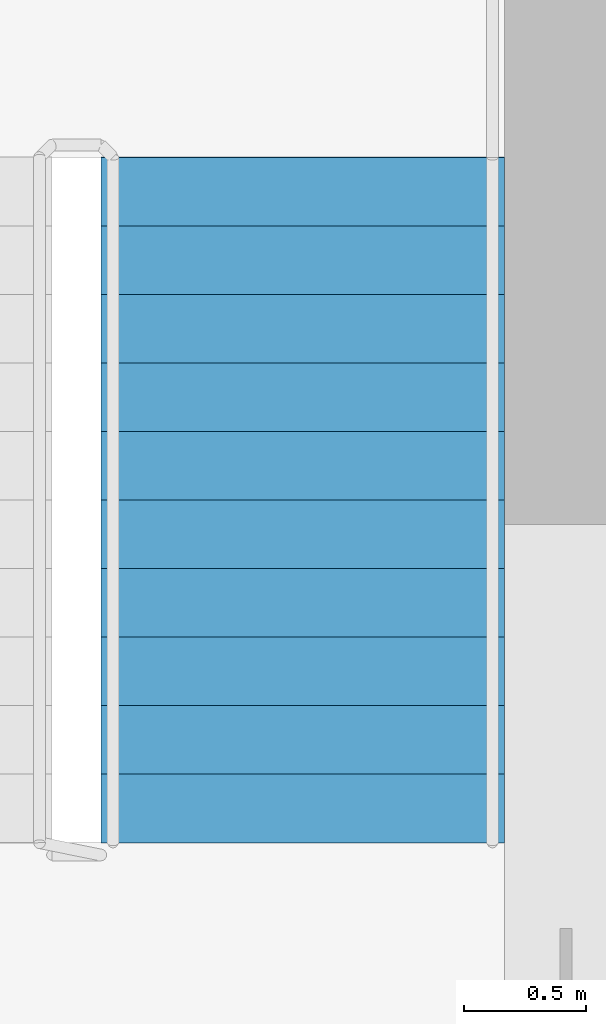
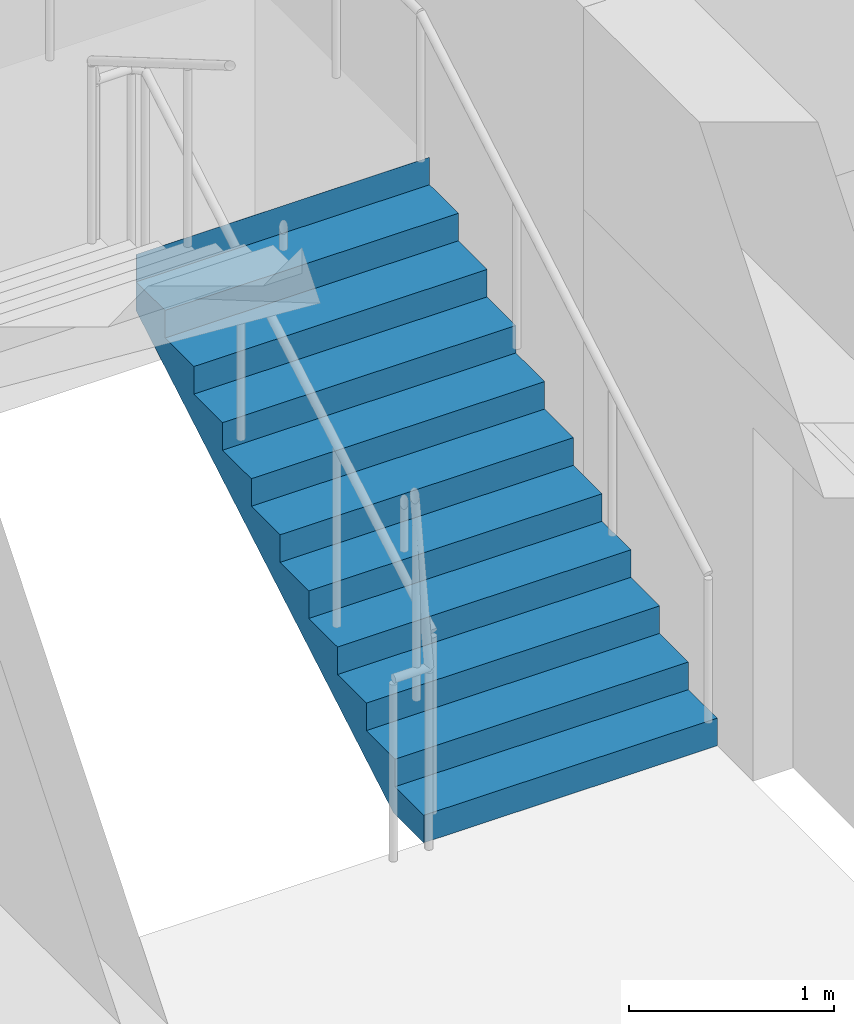
# One storey, part 13 of 14: 1 stair flight, 1 element without a shape of its own.
"""IFC4 building model written with IfcOpenShell, lengths in metres."""

from ifc_helpers import new_model, si_unit, direction, frame, origin, place, context, subcontext, project, spatial, polyline, outline, extrude, material, type_object, element, aggregate, save


model = new_model("IFC4")

# Units and contexts
model_context = context("Model", 3, precision=1e-05, world=origin(), true_north=direction((0.0, 1.0)))
body_context = subcontext(model_context, "Body", "Model", "MODEL_VIEW")
ifc_project = project(units=[si_unit("LENGTHUNIT", "METRE"), si_unit("AREAUNIT", "SQUARE_METRE"), si_unit("VOLUMEUNIT", "CUBIC_METRE"), si_unit("PLANEANGLEUNIT", "RADIAN"), si_unit("MASSUNIT", "GRAM", prefix="KILO")], contexts=[model_context])

# Site, building, storey
site_placement = place(None, origin())
site = spatial("IfcSite", under=ifc_project, at=site_placement, CompositionType="ELEMENT")
building_placement = place(site_placement, origin())
building = spatial("IfcBuilding", under=site, at=building_placement, Name="Tamorin Gate", CompositionType="ELEMENT")
storey_placement = place(building_placement, frame((0.0, 0.0, 148.199951171875)))
storey = spatial("IfcBuildingStorey", under=building, at=storey_placement, Name="L36", CompositionType="ELEMENT", Elevation=148.199951171875)

# Stair, stair flight
ifc_material = material(Name="Concrete C40/50", Category="concrete")
stair_type = type_object("IfcStairType", Name="Exit stair", PredefinedType="HALF_TURN_STAIR", material=ifc_material)
stair_placement = place(storey_placement, origin())
stair = element("IfcStair", 1, at=stair_placement, inside=storey, type_object=stair_type, Name="L36 stair ST2", PredefinedType="HALF_TURN_STAIR")
stair_flight_type = type_object("IfcStairFlightType", Name="Exit stair flight", PredefinedType="STRAIGHT", material=ifc_material)
stair_flight_placement = place(storey_placement, frame((33.675048828125, 77.0, 0.0), z_axis=(0.0, 0.0, 1.0), x_axis=(0.0, 1.0, 0.0)))
stair_flight = element("IfcStairFlight", 2, at=stair_flight_placement, type_object=stair_flight_type, Name="ST2 flight 1", NumberOfRisers=11, NumberOfTreads=10, PredefinedType="STRAIGHT", RiserHeight=0.163636364, TreadLength=0.28, context=body_context, shape_type="SweptSolid", body=[
    extrude(outline(polyline([(-0.00048828125, 0.0), (-0.00048828125, 0.001708984375), (-0.00048828125, 0.003173828125), (-0.00048828125, 0.0048828125), (-0.00048828125, 0.006591796875), (-0.00048828125, 0.008056640625), (-0.00048828125, 0.009765625), (-0.00048828125, 0.01123046875), (-0.00048828125, 0.012939453125), (-0.00048828125, 0.0146484375), (-0.00048828125, 0.01611328125), (-0.00048828125, 0.017822265625), (-0.00048828125, 0.01953125), (-0.00048828125, 0.02099609375), (-0.00048828125, 0.022705078125), (-0.00048828125, 0.0244140625), (-0.00048828125, 0.02587890625), (-0.00048828125, 0.027587890625), (-0.00048828125, 0.029052734375), (-0.00048828125, 0.03076171875), (-0.00048828125, 0.032470703125), (-0.00048828125, 0.033935546875), (-0.00048828125, 0.03564453125), (-0.00048828125, 0.037353515625), (-0.00048828125, 0.038818359375), (-0.00048828125, 0.04052734375), (-0.00048828125, 0.042236328125), (-0.00048828125, 0.043701171875), (-0.00048828125, 0.04541015625), (-0.00048828125, 0.046875), (-0.00048828125, 0.048583984375), (-0.00048828125, 0.05029296875), (-0.00048828125, 0.0517578125), (-0.00048828125, 0.053466796875), (-0.00048828125, 0.05517578125), (-0.00048828125, 0.056640625), (-0.00048828125, 0.058349609375), (-0.00048828125, 0.06005859375), (-0.00048828125, 0.0615234375), (-0.00048828125, 0.063232421875), (-0.00048828125, 0.064697265625), (-0.00048828125, 0.06640625), (-0.00048828125, 0.068115234375), (-0.00048828125, 0.069580078125), (-0.00048828125, 0.0712890625), (-0.00048828125, 0.072998046875), (-0.00048828125, 0.074462890625), (-0.00048828125, 0.076171875), (-0.00048828125, 0.077880859375), (-0.00048828125, 0.079345703125), (-0.00048828125, 0.0810546875), (-0.00048828125, 0.08251953125), (-0.00048828125, 0.084228515625), (-0.00048828125, 0.0859375), (-0.00048828125, 0.08740234375), (-0.00048828125, 0.089111328125), (-0.00048828125, 0.0908203125), (-0.00048828125, 0.09228515625), (-0.00048828125, 0.093994140625), (-0.00048828125, 0.095703125), (-0.00048828125, 0.09716796875), (-0.00048828125, 0.098876953125), (-0.00048828125, 0.100341796875), (-0.00048828125, 0.10205078125), (-0.00048828125, 0.103759765625), (-0.00048828125, 0.105224609375), (-0.00048828125, 0.10693359375), (-0.00048828125, 0.108642578125), (-0.00048828125, 0.110107421875), (-0.00048828125, 0.11181640625), (-0.00048828125, 0.113525390625), (-0.00048828125, 0.114990234375), (-0.00048828125, 0.11669921875), (-0.00048828125, 0.1181640625), (-0.00048828125, 0.119873046875), (-0.00048828125, 0.12158203125), (-0.00048828125, 0.123046875), (-0.00048828125, 0.124755859375), (-0.00048828125, 0.12646484375), (-0.00048828125, 0.1279296875), (-0.00048828125, 0.129638671875), (-0.00048828125, 0.13134765625), (-0.00048828125, 0.1328125), (-0.00048828125, 0.134521484375), (-0.00048828125, 0.135986328125), (-0.00048828125, 0.1376953125), (-0.00048828125, 0.139404296875), (-0.00048828125, 0.140869140625), (-0.00048828125, 0.142578125), (-0.00048828125, 0.144287109375), (-0.00048828125, 0.145751953125), (-0.00048828125, 0.1474609375), (-0.00048828125, 0.149169921875), (-0.00048828125, 0.150634765625), (-0.00048828125, 0.15234375), (-0.00048828125, 0.15380859375), (-0.00048828125, 0.155517578125), (-0.00048828125, 0.1572265625), (-0.00048828125, 0.15869140625), (-0.00048828125, 0.160400390625), (-0.00048828125, 0.162109375), (-0.00048828125, 0.16357421875), (0.280029296875, 0.16357421875), (0.280029296875, 0.327392578125), (0.56005859375, 0.327392578125), (0.56005859375, 0.490966796875), (0.840087890625, 0.490966796875), (0.840087890625, 0.654541015625), (1.1201171875, 0.654541015625), (1.1201171875, 0.818115234375), (1.39990234375, 0.818115234375), (1.39990234375, 0.98193359375), (1.679931640625, 0.98193359375), (1.679931640625, 1.1455078125), (1.9599609375, 1.1455078125), (1.9599609375, 1.30908203125), (2.239990234375, 1.30908203125), (2.239990234375, 1.47265625), (2.52001953125, 1.47265625), (2.52001953125, 1.636474609375), (2.800048828125, 1.636474609375), (2.800048828125, 1.800048828125), (2.800537109375, 1.800048828125), (2.800537109375, 1.796630859375), (2.800537109375, 1.793212890625), (2.800537109375, 1.7900390625), (2.800537109375, 1.78662109375), (2.800537109375, 1.783203125), (2.800537109375, 1.780029296875), (2.800537109375, 1.776611328125), (2.800537109375, 1.773193359375), (2.800537109375, 1.77001953125), (2.800537109375, 1.7666015625), (2.800537109375, 1.76318359375), (2.800537109375, 1.760009765625), (2.800537109375, 1.756591796875), (2.800537109375, 1.753173828125), (2.800537109375, 1.75), (2.800537109375, 1.74658203125), (2.800537109375, 1.7431640625), (2.800537109375, 1.739990234375), (2.800537109375, 1.736572265625), (2.800537109375, 1.733154296875), (2.800537109375, 1.72998046875), (2.800537109375, 1.7265625), (2.800537109375, 1.72314453125), (2.800537109375, 1.719970703125), (2.800537109375, 1.716552734375), (2.800537109375, 1.713134765625), (2.800537109375, 1.7099609375), (2.800537109375, 1.70654296875), (2.800537109375, 1.703125), (2.800537109375, 1.69970703125), (2.800537109375, 1.696533203125), (2.800537109375, 1.693115234375), (2.800537109375, 1.689697265625), (2.800537109375, 1.6865234375), (2.800537109375, 1.68310546875), (2.800537109375, 1.6796875), (2.800537109375, 1.676513671875), (2.800537109375, 1.673095703125), (2.800537109375, 1.669677734375), (2.800537109375, 1.66650390625), (2.800537109375, 1.6630859375), (2.800537109375, 1.65966796875), (2.800537109375, 1.656494140625), (2.800537109375, 1.653076171875), (2.800537109375, 1.649658203125), (2.800537109375, 1.646484375), (2.800537109375, 1.64306640625), (2.800537109375, 1.6396484375), (2.800537109375, 1.636474609375), (2.800537109375, 1.633056640625), (2.800537109375, 1.629638671875), (2.800537109375, 1.62646484375), (2.800537109375, 1.623046875), (2.800537109375, 1.61962890625), (2.800537109375, 1.616455078125), (2.800537109375, 1.613037109375), (2.800537109375, 1.609619140625), (2.800537109375, 1.6064453125), (2.800537109375, 1.60302734375), (2.800537109375, 1.599609375), (2.800537109375, 1.59619140625), (2.800537109375, 1.593017578125), (2.800537109375, 1.589599609375), (2.800537109375, 1.586181640625), (2.800537109375, 1.5830078125), (2.800537109375, 1.57958984375), (2.800537109375, 1.576171875), (2.800537109375, 1.572998046875), (2.800537109375, 1.569580078125), (2.800537109375, 1.566162109375), (2.800537109375, 1.56298828125), (2.800537109375, 1.5595703125), (2.800537109375, 1.55615234375), (2.800537109375, 1.552978515625), (2.800537109375, 1.549560546875), (2.800537109375, 1.546142578125), (2.800537109375, 1.54296875), (2.800537109375, 1.53955078125), (2.800537109375, 1.5361328125), (2.800537109375, 1.532958984375), (2.800537109375, 1.529541015625), (2.800537109375, 1.526123046875), (2.800537109375, 1.52294921875), (2.800537109375, 1.51953125), (2.800537109375, 1.51611328125), (2.800537109375, 1.512939453125), (2.800537109375, 1.509521484375), (2.800537109375, 1.506103515625), (2.800537109375, 1.5029296875), (2.800537109375, 1.49951171875), (2.800537109375, 1.49609375), (2.800537109375, 1.49267578125), (2.800537109375, 1.489501953125), (2.800537109375, 1.486083984375), (2.800537109375, 1.482666015625), (2.800537109375, 1.4794921875), (2.800537109375, 1.47607421875), (2.800537109375, 1.47265625), (2.800537109375, 1.469482421875), (2.800537109375, 1.466064453125), (2.800537109375, 1.462646484375), (2.800048828125, 1.462646484375), (0.297119140625, 0.0), (-0.00048828125, 0.0)])), frame((0.0, 0.824951171875, 0.0), z_axis=(0.0, -1.0, 0.0), x_axis=(1.0, 0.0, 0.0)), (0.0, 0.0, 1.0), 1.64990234375),
])
aggregate(stair, [stair_flight])

save(model, "model.ifc")
